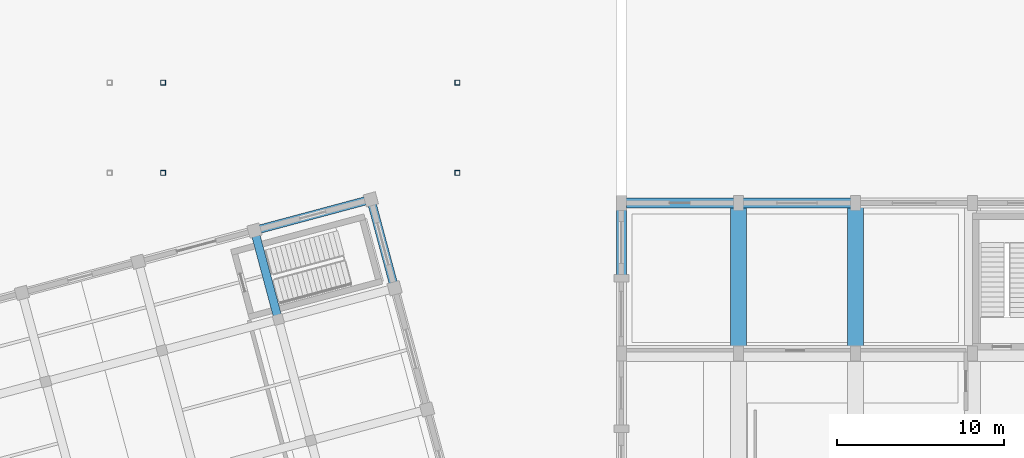
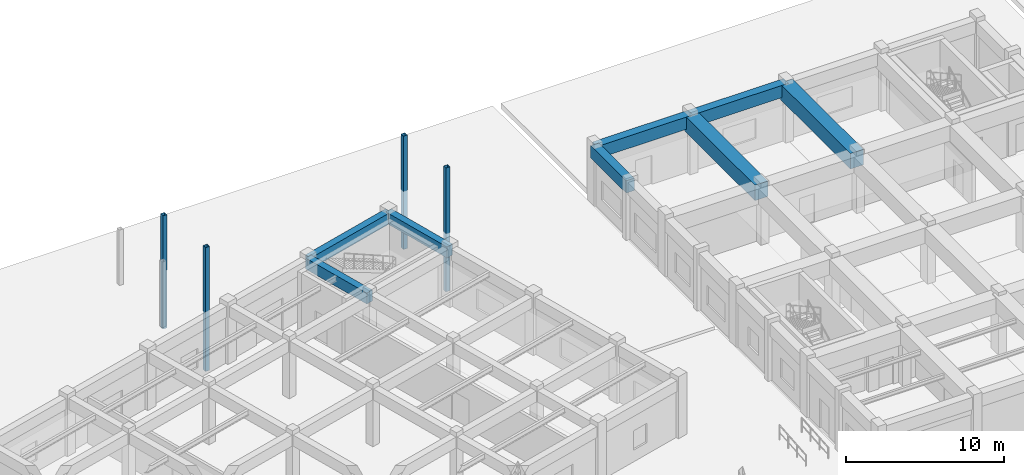
# One storey, part 26 of 47: 8 beams, 4 members.
"""IFC4 building model written with IfcOpenShell, lengths in metres."""

from ifc_helpers import new_model, si_unit, direction, frame, origin, origin_2d, place, context, subcontext, project, spatial, rectangle, hollow_rectangle, extrude, material, material_profile, profile_set, type_object, element, save


model = new_model("IFC4")

# Units and contexts
model_context = context("Model", 3, precision=1e-05, world=origin(), true_north=direction((0.0, 1.0)))
body_context = subcontext(model_context, "Body", "Model", "MODEL_VIEW")
ifc_project = project(units=[si_unit("LENGTHUNIT", "METRE"), si_unit("AREAUNIT", "SQUARE_METRE"), si_unit("VOLUMEUNIT", "CUBIC_METRE"), si_unit("PLANEANGLEUNIT", "RADIAN"), si_unit("MASSUNIT", "GRAM", prefix="KILO")], contexts=[model_context])

# Site, building, storey
site_placement = place(None, origin())
site = spatial("IfcSite", under=ifc_project, at=site_placement, CompositionType="ELEMENT")
building_placement = place(site_placement, origin())
building = spatial("IfcBuilding", under=site, at=building_placement, Name="Ventoquebrada Cableway Terminal", CompositionType="ELEMENT")
storey_placement = place(building_placement, origin())
storey = spatial("IfcBuildingStorey", under=building, at=storey_placement, Name="L00", CompositionType="ELEMENT", Elevation=0.0)

# Beams
ifc_material_1 = material(Name="Concrete C40/50", Category="concrete")
ifc_material_profile_1 = material_profile(ifc_material_1, rectangle(XDim=0.5, YDim=0.85009765625, at=origin_2d()), Name="RC-BM-500X850")
ifc_profile_set_1 = profile_set([ifc_material_profile_1], Name="Concrete C40/50")
beam_type_1 = type_object("IfcBeamType", Name="BM-RC04", PredefinedType="BEAM", material=ifc_profile_set_1)
beam_1_placement = place(storey_placement, frame((74.490966796875, 97.0400390625, 4.02490234375), z_axis=(-0.258941703614, 0.965892951693, 0.0), x_axis=(-0.965892951693, -0.258941703614, 0.0)))
element("IfcBeam", 1, at=beam_1_placement, inside=storey, type_object=beam_type_1, Name="Splayed station girder FBM-0973", PredefinedType="BEAM", context=body_context, shape_type="SweptSolid", body=[
    extrude(rectangle(XDim=0.5, YDim=0.85009765625, at=origin_2d()), origin(), (0.0, 0.0, 1.0), 5.49951171875),
])
beam_2_placement = place(storey_placement, frame((81.446044921875, 98.903076171875, 4.02490234375), z_axis=(-0.258897298886, 0.965904854853, 0.0), x_axis=(-0.965904854853, -0.258897298886, 0.0)))
element("IfcBeam", 2, at=beam_2_placement, inside=storey, type_object=beam_type_1, Name="Splayed station girder FBM-0977", PredefinedType="BEAM", context=body_context, shape_type="SweptSolid", body=[
    extrude(rectangle(XDim=0.5, YDim=0.85009765625, at=origin_2d()), origin(), (0.0, 0.0, 1.0), 5.50048828125),
])
beam_3_placement = place(storey_placement, frame((73.06689453125, 102.35205078125, 4.02490234375), z_axis=(0.96591172503, 0.258871665986, 0.0), x_axis=(-0.258871665986, 0.96591172503, 0.0)))
element("IfcBeam", 3, at=beam_3_placement, inside=storey, type_object=beam_type_1, Name="Splayed station girder FBM-1002", PredefinedType="BEAM", context=body_context, shape_type="SweptSolid", body=[
    extrude(rectangle(XDim=0.5, YDim=0.85009765625, at=origin_2d()), origin(), (0.0, 0.0, 1.0), 7.200439453125),
])
ifc_material_profile_2 = material_profile(ifc_material_1, rectangle(XDim=0.60009765625, YDim=0.949951171875, at=origin_2d()), Name="RC-BM-600X950")
ifc_profile_set_2 = profile_set([ifc_material_profile_2], Name="Concrete C40/50")
beam_type_2 = type_object("IfcBeamType", Name="BM-RC05", PredefinedType="BEAM", material=ifc_profile_set_2)
for number, where, z_axis, x_axis, name in (
    (4, (95.0, 104.0, 3.97509765625), (1.0, 0.0, 0.0), (0.0, 1.0, 0.0), "Perimeter spandrel beam FBM-0595"),
    (5, (102.0, 104.0, 3.97509765625), (1.0, 0.0, 0.0), (0.0, 1.0, 0.0), "Perimeter spandrel beam FBM-0596"),
):
    element("IfcBeam", number, at=place(storey_placement, frame(where, z_axis=z_axis, x_axis=x_axis)), inside=storey, type_object=beam_type_2, Name=name, PredefinedType="BEAM", context=body_context, shape_type="SweptSolid", body=[
        extrude(rectangle(XDim=0.60009765625, YDim=0.949951171875, at=origin_2d()), origin(), (0.0, 0.0, 1.0), 7.0),
    ])
beam_4_placement = place(storey_placement, frame((95.0, 99.5, 3.97509765625), z_axis=(0.0, 1.0, 0.0), x_axis=(-1.0, 0.0, 0.0)))
element("IfcBeam", 6, at=beam_4_placement, inside=storey, type_object=beam_type_2, Name="Perimeter spandrel beam FBM-0606", PredefinedType="BEAM", context=body_context, shape_type="SweptSolid", body=[
    extrude(rectangle(XDim=0.60009765625, YDim=0.949951171875, at=origin_2d()), origin(), (0.0, 0.0, 1.0), 4.5),
])
ifc_material_profile_3 = material_profile(ifc_material_1, rectangle(XDim=0.949951171875, YDim=1.199951171875, at=origin_2d()), Name="RC-BM-950X1200")
ifc_profile_set_3 = profile_set([ifc_material_profile_3], Name="Concrete C40/50")
beam_type_3 = type_object("IfcBeamType", Name="BM-RC06", PredefinedType="BEAM", material=ifc_profile_set_3)
for number, where, z_axis, x_axis, name in (
    (7, (102.0, 95.0, 3.85009765625), (0.0, 1.0, 0.0), (-1.0, 0.0, 0.0), "Primary frame girder FBM-0610"),
    (8, (109.0, 95.0, 3.85009765625), (0.0, 1.0, 0.0), (-1.0, 0.0, 0.0), "Primary frame girder FBM-0614"),
):
    element("IfcBeam", number, at=place(storey_placement, frame(where, z_axis=z_axis, x_axis=x_axis)), inside=storey, type_object=beam_type_3, Name=name, PredefinedType="BEAM", context=body_context, shape_type="SweptSolid", body=[
        extrude(rectangle(XDim=0.949951171875, YDim=1.199951171875, at=origin_2d()), origin(), (0.0, 0.0, 1.0), 9.0),
    ])

# Members
ifc_material_2 = material(Name="Steel ASTM A500 Grade C", Category="steel")
ifc_material_profile_4 = material_profile(ifc_material_2, hollow_rectangle(XDim=0.300048828125, YDim=0.300048828125, WallThickness=0.01611328125, at=origin_2d()), Name="HSS300X300X16")
ifc_profile_set_4 = profile_set([ifc_material_profile_4], Name="Steel ASTM A500 Grade C")
member_type = type_object("IfcMemberType", Name="PST-GS01", PredefinedType="STRUT", material=ifc_profile_set_4)
for number, where, z_axis, x_axis, name in (
    (9, (67.60009765625, 105.800048828125, -4.5), (0.0, 0.0, 1.0), (1.0, 0.0, 0.0), "Plaza canopy support post CN-PS-0565"),
    (10, (85.199951171875, 105.800048828125, -4.5), (0.0, 0.0, 1.0), (1.0, 0.0, 0.0), "Plaza canopy support post CN-PS-0566"),
):
    element("IfcMember", number, at=place(storey_placement, frame(where, z_axis=z_axis, x_axis=x_axis)), inside=storey, type_object=member_type, Name=name, PredefinedType="STRUT", context=body_context, shape_type="SweptSolid", body=[
        extrude(hollow_rectangle(XDim=0.300048828125, YDim=0.300048828125, WallThickness=0.01611328125, at=origin_2d()), origin(), (0.0, 0.0, 1.0), 9.5810546875),
    ])
for number, where, z_axis, x_axis, name in (
    (11, (85.199951171875, 111.199951171875, -4.5), (0.0, 0.0, 1.0), (1.0, 0.0, 0.0), "Plaza canopy support post CN-PS-0567"),
    (12, (67.60009765625, 111.199951171875, -4.5), (0.0, 0.0, 1.0), (1.0, 0.0, 0.0), "Plaza canopy support post CN-PS-0568"),
):
    element("IfcMember", number, at=place(storey_placement, frame(where, z_axis=z_axis, x_axis=x_axis)), inside=storey, type_object=member_type, Name=name, PredefinedType="STRUT", context=body_context, shape_type="SweptSolid", body=[
        extrude(hollow_rectangle(XDim=0.300048828125, YDim=0.300048828125, WallThickness=0.01611328125, at=origin_2d()), origin(), (0.0, 0.0, 1.0), 8.77392578125),
    ])

save(model, "model.ifc")
